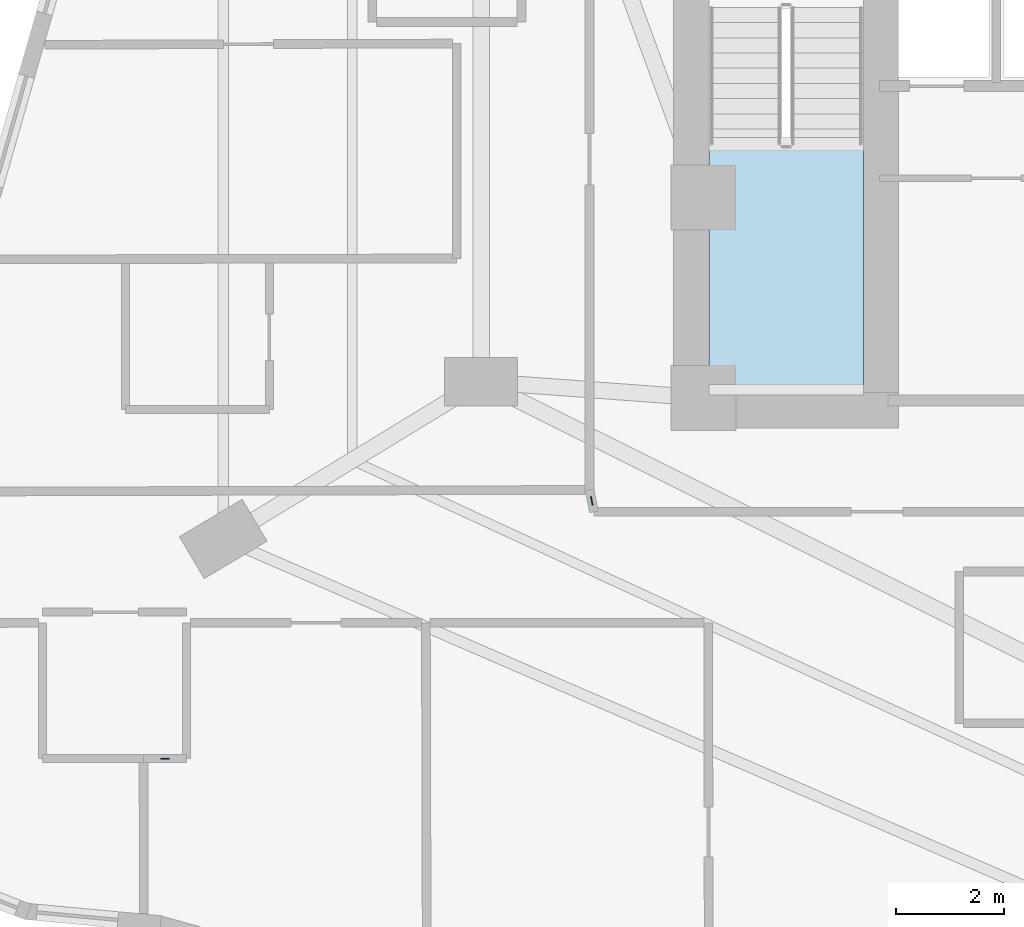
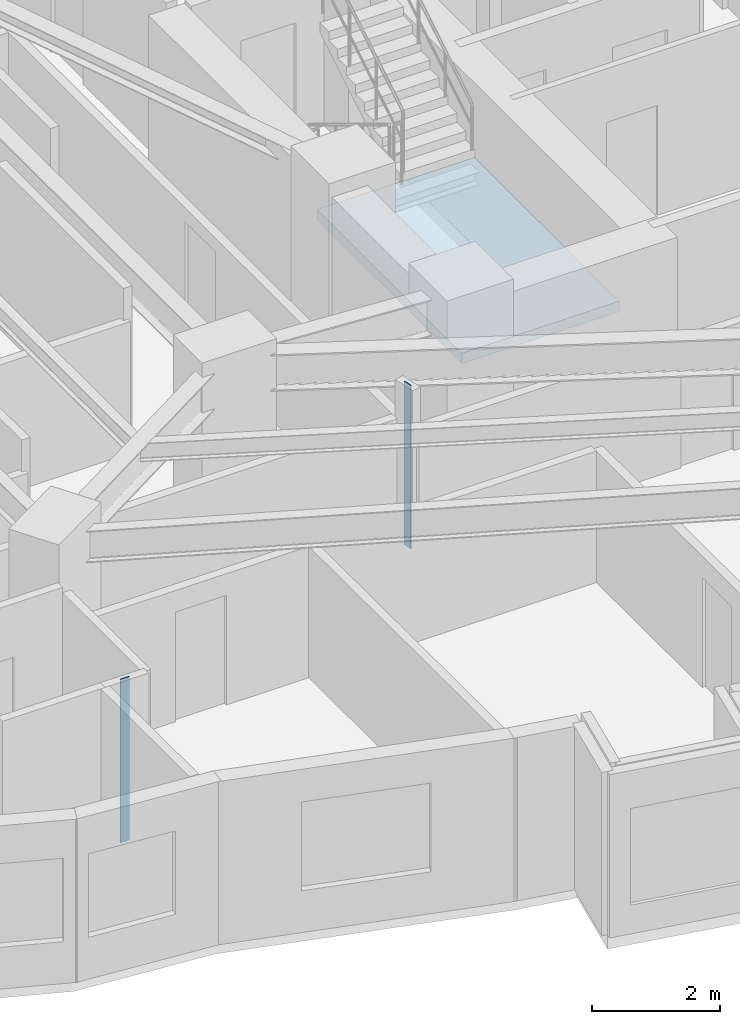
# One storey, part 2 of 14: 2 plates, 1 slab, 1 element without a shape of its own.
"""IFC4 building model written with IfcOpenShell, lengths in metres."""

from ifc_helpers import new_model, si_unit, direction, frame, origin, origin_2d, place, context, subcontext, project, spatial, polyline, rectangle, outline, extrude, material, layer, layer_set, type_object, element, aggregate, save


model = new_model("IFC4")

# Units and contexts
model_context = context("Model", 3, precision=1e-05, world=origin(), true_north=direction((0.0, 1.0)))
body_context = subcontext(model_context, "Body", "Model", "MODEL_VIEW")
ifc_project = project(units=[si_unit("LENGTHUNIT", "METRE"), si_unit("AREAUNIT", "SQUARE_METRE"), si_unit("VOLUMEUNIT", "CUBIC_METRE"), si_unit("PLANEANGLEUNIT", "RADIAN"), si_unit("MASSUNIT", "GRAM", prefix="KILO")], contexts=[model_context])

# Site, building, storey
site_placement = place(None, origin())
site = spatial("IfcSite", under=ifc_project, at=site_placement, CompositionType="ELEMENT")
building_placement = place(site_placement, origin())
building = spatial("IfcBuilding", under=site, at=building_placement, Name="Miruveldt Soraemaru", CompositionType="ELEMENT")
storey_placement = place(building_placement, frame((0.0, 0.0, 80.199951171875)))
storey = spatial("IfcBuildingStorey", under=building, at=storey_placement, Name="L22", CompositionType="ELEMENT", Elevation=80.199951171875)

# Plates
ifc_material_1 = material(Name="Anodised aluminium EN AW-6063 T6", Category="aluminium")
ifc_layer_1 = layer(ifc_material_1, 0.02001953125, Name="Anodised aluminium EN AW-6063 T6", Category="aluminium")
ifc_layer_set_1 = layer_set([ifc_layer_1], Name="Anodised aluminium EN AW-6063 T6")
plate_type = type_object("IfcPlateType", Name="PLT-PART-TRIM", PredefinedType="SHEET", material=ifc_layer_set_1)
for number, where, z_axis, x_axis, name in (
    (1, (25.568603515625, 28.85009765625, 0.0), (0.0, 0.0, 1.0), (1.0, 0.0, 0.0), "L22 Partition Step Corner Trim Plate 064"),
    (2, (33.43994140625, 33.603515625, 0.0), (0.0, 0.0, 1.0), (-0.192864490548, 0.981225401366, 0.0), "L22 Partition Step Corner Trim Plate 001"),
):
    element("IfcPlate", number, at=place(storey_placement, frame(where, z_axis=z_axis, x_axis=x_axis)), inside=storey, type_object=plate_type, Name=name, PredefinedType="SHEET", context=body_context, shape_type="SweptSolid", body=[
        extrude(rectangle(XDim=0.159912109375, YDim=0.02001953125, at=origin_2d()), origin(), (0.0, 0.0, 1.0), 3.125),
    ])

# Stair, slab
ifc_material_2 = material(Name="Concrete C40/50 (40 MPa)", Category="concrete")
stair_type = type_object("IfcStairType", Name="STAIR-DL-340", PredefinedType="HALF_TURN_STAIR", material=ifc_material_2)
stair_placement = place(storey_placement, origin())
stair = element("IfcStair", 3, at=stair_placement, inside=storey, type_object=stair_type, Name="L22 Protected Exit Stair ST-1", PredefinedType="HALF_TURN_STAIR")
ifc_layer_2 = layer(ifc_material_2, 0.199951171875, Name="Concrete C40/50 (40 MPa)", Category="concrete")
ifc_layer_set_2 = layer_set([ifc_layer_2], Name="Concrete C40/50 (40 MPa)")
slab_type = type_object("IfcSlabType", Name="SLAB-LAND-200", PredefinedType="LANDING", material=ifc_layer_set_2)
slab_placement = place(storey_placement, frame((0.0, 0.0, 1.5)))
slab = element("IfcSlab", 4, at=slab_placement, type_object=slab_type, Name="ST-1 landing 1", PredefinedType="LANDING", context=body_context, shape_type="SweptSolid", body=[
    extrude(outline(polyline([(35.60009765625, 40.197998046875), (35.60009765625, 35.64990234375), (38.449951171875, 35.64990234375), (38.449951171875, 40.197998046875), (35.60009765625, 40.197998046875)])), origin(), (0.0, 0.0, 1.0), 0.199951171875),
])
aggregate(stair, [slab])

save(model, "model.ifc")
